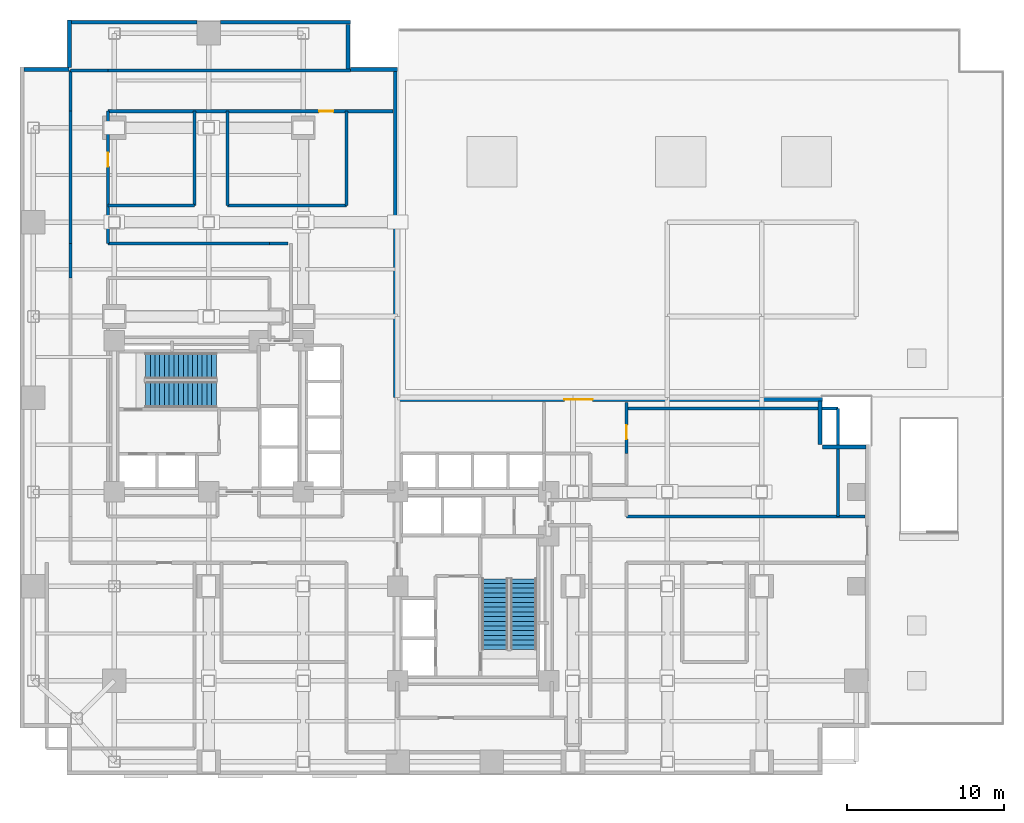
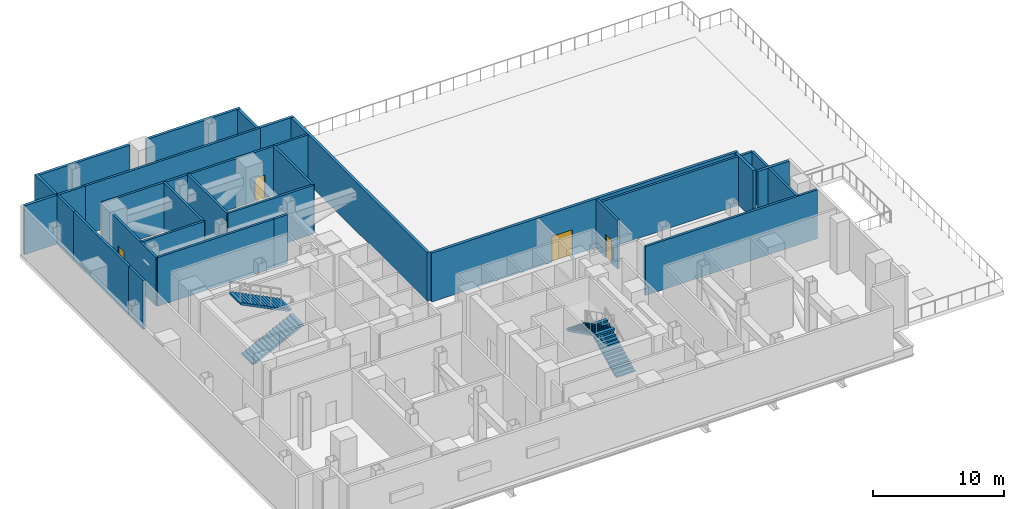
# One storey, part 6 of 8: 28 walls, 4 doors, 4 stair flights, 4 openings, 2 elements without a shape of their own.
"""IFC4 building model written with IfcOpenShell, lengths in metres."""

from ifc_helpers import new_model, si_unit, direction, frame, frame_2d, origin, place, context, subcontext, project, spatial, polyline, rectangle, outline, extrude, material, layer, layer_set, type_object, element, fill, aggregate, save


model = new_model("IFC4")

# Units and contexts
model_context = context("Model", 3, precision=1e-05, world=origin(), true_north=direction((0.0, 1.0)))
body_context = subcontext(model_context, "Body", "Model", "MODEL_VIEW")
ifc_project = project(units=[si_unit("LENGTHUNIT", "METRE"), si_unit("AREAUNIT", "SQUARE_METRE"), si_unit("VOLUMEUNIT", "CUBIC_METRE"), si_unit("PLANEANGLEUNIT", "RADIAN"), si_unit("MASSUNIT", "GRAM", prefix="KILO"), si_unit("THERMODYNAMICTEMPERATUREUNIT", "KELVIN"), si_unit("POWERUNIT", "WATT")], contexts=[model_context])

# Site, building, storey
site_placement = place(None, origin())
site = spatial("IfcSite", under=ifc_project, at=site_placement, CompositionType="ELEMENT")
building_placement = place(site_placement, origin())
building = spatial("IfcBuilding", under=site, at=building_placement, Name="Svarakhadi Broadcast Tower", CompositionType="ELEMENT")
storey_placement = place(building_placement, frame((0.0, 0.0, 27.60009765625)))
storey = spatial("IfcBuildingStorey", under=building, at=storey_placement, Name="L05", CompositionType="ELEMENT", Elevation=27.60009765625)

# Wall, opening, door
ifc_material_1 = material(Name="Concrete C40/50 (IS 456 M50)", Category="concrete")
ifc_layer_1 = layer(ifc_material_1, 0.239990234375)
ifc_layer_set_1 = layer_set([ifc_layer_1], Name="Concrete C40/50 (IS 456 M50)")
wall_type_1 = type_object("IfcWallType", Name="Wall_Ext_240", PredefinedType="SOLIDWALL", material=ifc_layer_set_1)
wall_1_placement = place(storey_placement, frame((24.0, 23.8798828125, 0.0), z_axis=(0.0, 0.0, 1.0), x_axis=(1.0, 0.0, 0.0)))
wall_1 = element("IfcWall", 1, at=wall_1_placement, inside=storey, type_object=wall_type_1, Name="L05 North Podium Terrace Access Wall", PredefinedType="SOLIDWALL", context=body_context, shape_type="SweptSolid", body=[
    extrude(rectangle(XDim=27.0, YDim=0.239990234375, at=frame_2d((13.5, 0.0))), origin(), (0.0, 0.0, 1.0), 4.5498046875),
])
opening_1_placement = place(wall_1_placement, frame((10.60009765625, 0.0, 0.0)))
opening_1 = element("IfcOpeningElement", 2, at=opening_1_placement, cuts=wall_1, Name="Opening ED-02", PredefinedType="OPENING", context=body_context, shape_type="SweptSolid", body=[
    extrude(rectangle(XDim=1.800048828125, YDim=2.39990234375, at=frame_2d((0.89990234375, 1.199951171875))), frame((0.0, 0.1298828125, 0.0), z_axis=(0.0, -1.0, 0.0), x_axis=(1.0, 0.0, 0.0)), (0.0, 0.0, 1.0), 0.260009765625),
])
ifc_material_2 = material(Name="Anodised Bronze Aluminium AA 6063-T6", Category="aluminium")
door_type_1 = type_object("IfcDoorType", Name="Door_Ext_ED02", OperationType="DOUBLE_DOOR_SINGLE_SWING", PredefinedType="DOOR", material=ifc_material_2)
door_1_placement = place(opening_1_placement, origin())
door_1 = element("IfcDoor", 3, at=door_1_placement, inside=storey, type_object=door_type_1, Name="L05 Podium NE Roof Terrace Access Door", OperationType="DOUBLE_DOOR_SINGLE_SWING", OverallHeight=2.39990234375, OverallWidth=1.800048828125, PredefinedType="DOOR", context=body_context, shape_type="SweptSolid", body=[
    extrude(rectangle(XDim=1.800048828125, YDim=2.39990234375, at=frame_2d((0.89990234375, 1.199951171875))), frame((0.0, 0.02490234375, 0.0), z_axis=(0.0, -1.0, 0.0), x_axis=(1.0, 0.0, 0.0)), (0.0, 0.0, 1.0), 0.050048828125),
])
fill(opening_1, door_1)

# Walls
wall_2_placement = place(storey_placement, frame((0.2548828125, 44.85009765625, 0.0), z_axis=(0.0, 0.0, 1.0), x_axis=(1.0, 0.0, 0.0)))
element("IfcWall", 4, at=wall_2_placement, inside=storey, type_object=wall_type_1, Name="L05 Perimeter Bronze Spandrel Closure Wall 02", PredefinedType="SOLIDWALL", context=body_context, shape_type="SweptSolid", body=[
    extrude(rectangle(XDim=2.84521484375, YDim=0.239990234375, at=frame_2d((1.422607421875, 0.0))), origin(), (0.0, 0.0, 1.0), 4.5498046875),
])
wall_3_placement = place(storey_placement, frame((3.14990234375, 44.969970703125, 0.0), z_axis=(0.0, 0.0, 1.0), x_axis=(0.0, 1.0, 0.0)))
element("IfcWall", 5, at=wall_3_placement, inside=storey, type_object=wall_type_1, Name="L05 Perimeter Bronze Spandrel Closure Wall 03", PredefinedType="SOLIDWALL", context=body_context, shape_type="SweptSolid", body=[
    extrude(rectangle(XDim=3.030029296875, YDim=0.239990234375, at=frame_2d((1.51513671875, 0.0))), origin(), (0.0, 0.0, 1.0), 4.5498046875),
])
wall_4_placement = place(storey_placement, frame((3.27490234375, 47.85009765625, 0.0), z_axis=(0.0, 0.0, 1.0), x_axis=(1.0, 0.0, 0.0)))
element("IfcWall", 6, at=wall_4_placement, inside=storey, type_object=wall_type_1, Name="L05 Perimeter Bronze Spandrel Closure Wall 04", PredefinedType="SOLIDWALL", context=body_context, shape_type="SweptSolid", body=[
    extrude(rectangle(XDim=7.989990234375, YDim=0.239990234375, at=frame_2d((3.9951171875, 0.0))), origin(), (0.0, 0.0, 1.0), 4.5498046875),
])
wall_5_placement = place(storey_placement, frame((12.735107421875, 47.85009765625, 0.0), z_axis=(0.0, 0.0, 1.0), x_axis=(1.0, 0.0, 0.0)))
element("IfcWall", 7, at=wall_5_placement, inside=storey, type_object=wall_type_1, Name="L05 Perimeter Bronze Spandrel Closure Wall 05", PredefinedType="SOLIDWALL", context=body_context, shape_type="SweptSolid", body=[
    extrude(rectangle(XDim=8.264892578125, YDim=0.239990234375, at=frame_2d((4.13232421875, 0.0))), origin(), (0.0, 0.0, 1.0), 4.5498046875),
])
wall_6_placement = place(storey_placement, frame((20.85009765625, 47.72509765625, 0.0), z_axis=(0.0, 0.0, 1.0), x_axis=(0.0, -1.0, 0.0)))
element("IfcWall", 8, at=wall_6_placement, inside=storey, type_object=wall_type_1, Name="L05 Perimeter Bronze Spandrel Closure Wall 06", PredefinedType="SOLIDWALL", context=body_context, shape_type="SweptSolid", body=[
    extrude(rectangle(XDim=2.8251953125, YDim=0.239990234375, at=frame_2d((1.41259765625, 0.0))), origin(), (0.0, 0.0, 1.0), 4.5498046875),
])
wall_7_placement = place(storey_placement, frame((21.0, 44.85009765625, 0.0), z_axis=(0.0, 0.0, 1.0), x_axis=(1.0, 0.0, 0.0)))
element("IfcWall", 9, at=wall_7_placement, inside=storey, type_object=wall_type_1, Name="L05 Perimeter Bronze Spandrel Closure Wall 07", PredefinedType="SOLIDWALL", context=body_context, shape_type="SweptSolid", body=[
    extrude(rectangle(XDim=3.0, YDim=0.239990234375, at=frame_2d((1.5, 0.0))), origin(), (0.0, 0.0, 1.0), 4.5498046875),
])
wall_8_placement = place(storey_placement, frame((23.85009765625, 44.72509765625, 0.0), z_axis=(0.0, 0.0, 1.0), x_axis=(0.0, -1.0, 0.0)))
element("IfcWall", 10, at=wall_8_placement, inside=storey, type_object=wall_type_1, Name="L05 Perimeter Bronze Spandrel Closure Wall 08", PredefinedType="SOLIDWALL", context=body_context, shape_type="SweptSolid", body=[
    extrude(rectangle(XDim=20.72509765625, YDim=0.239990234375, at=frame_2d((10.362548828125, 0.0))), origin(), (0.0, 0.0, 1.0), 4.5498046875),
])
for number, where, z_axis, x_axis, name in (
    (11, (50.85009765625, 23.77490234375, 0.0), (0.0, 0.0, 1.0), (0.0, -1.0, 0.0), "L05 Perimeter Bronze Spandrel Closure Wall 09"),
    (12, (51.0, 20.85009765625, 0.0), (0.0, 0.0, 1.0), (1.0, 0.0, 0.0), "L05 Perimeter Bronze Spandrel Closure Wall 10"),
):
    element("IfcWall", number, at=place(storey_placement, frame(where, z_axis=z_axis, x_axis=x_axis)), inside=storey, type_object=wall_type_1, Name=name, PredefinedType="SOLIDWALL", context=body_context, shape_type="SweptSolid", body=[
        extrude(rectangle(XDim=2.77490234375, YDim=0.239990234375, at=frame_2d((1.387451171875, 0.0))), origin(), (0.0, 0.0, 1.0), 4.5498046875),
    ])
ifc_layer_2 = layer(ifc_material_1, 0.199951171875)
ifc_layer_set_2 = layer_set([ifc_layer_2], Name="Concrete C40/50 (IS 456 M50)")
wall_type_2 = type_object("IfcWallType", Name="Wall_Fire_200", PredefinedType="SOLIDWALL", material=ifc_layer_set_2)
wall_9_placement = place(storey_placement, frame((3.199951171875, 31.60009765625, 0.0), z_axis=(0.0, 0.0, 1.0), x_axis=(0.0, 1.0, 0.0)))
element("IfcWall", 13, at=wall_9_placement, inside=storey, type_object=wall_type_2, Name="L05 Plant Service Corridor Wall", PredefinedType="SOLIDWALL", context=body_context, shape_type="SweptSolid", body=[
    extrude(rectangle(XDim=2.199951171875, YDim=0.199951171875, at=frame_2d((1.10009765625, 0.0))), origin(), (0.0, 0.0, 1.0), 4.5498046875),
])
wall_10_placement = place(storey_placement, frame((3.199951171875, 33.800048828125, 0.0), z_axis=(0.0, 0.0, 1.0), x_axis=(0.0, 1.0, 0.0)))
element("IfcWall", 14, at=wall_10_placement, inside=storey, type_object=wall_type_2, Name="L05 Plant Service Corridor Wall", PredefinedType="SOLIDWALL", context=body_context, shape_type="SweptSolid", body=[
    extrude(rectangle(XDim=8.39990234375, YDim=0.199951171875, at=frame_2d((4.199951171875, 0.0))), origin(), (0.0, 0.0, 1.0), 4.5498046875),
])
wall_11_placement = place(storey_placement, frame((3.199951171875, 42.199951171875, 0.0), z_axis=(0.0, 0.0, 1.0), x_axis=(0.0, 1.0, 0.0)))
element("IfcWall", 15, at=wall_11_placement, inside=storey, type_object=wall_type_2, Name="L05 Plant Service Corridor Wall", PredefinedType="SOLIDWALL", context=body_context, shape_type="SweptSolid", body=[
    extrude(rectangle(XDim=2.60009765625, YDim=0.199951171875, at=frame_2d((1.300048828125, 0.0))), origin(), (0.0, 0.0, 1.0), 4.5498046875),
])
wall_12_placement = place(storey_placement, frame((3.199951171875, 44.800048828125, 0.0), z_axis=(0.0, 0.0, 1.0), x_axis=(1.0, 0.0, 0.0)))
element("IfcWall", 16, at=wall_12_placement, inside=storey, type_object=wall_type_2, Name="L05 Plant Service Corridor Wall", PredefinedType="SOLIDWALL", context=body_context, shape_type="SweptSolid", body=[
    extrude(rectangle(XDim=2.400146484375, YDim=0.199951171875, at=frame_2d((1.2001953125, 0.0))), origin(), (0.0, 0.0, 1.0), 4.5498046875),
])
wall_13_placement = place(storey_placement, frame((5.60009765625, 44.800048828125, 0.0), z_axis=(0.0, 0.0, 1.0), x_axis=(1.0, 0.0, 0.0)))
element("IfcWall", 17, at=wall_13_placement, inside=storey, type_object=wall_type_2, Name="L05 Plant Service Corridor Wall", PredefinedType="SOLIDWALL", context=body_context, shape_type="SweptSolid", body=[
    extrude(rectangle(XDim=15.39990234375, YDim=0.199951171875, at=frame_2d((7.699951171875, 0.0))), origin(), (0.0, 0.0, 1.0), 4.5498046875),
])

# Wall, opening, door
wall_14_placement = place(storey_placement, frame((23.699951171875, 42.199951171875, 0.0), z_axis=(0.0, 0.0, 1.0), x_axis=(-1.0, 0.0, 0.0)))
wall_14 = element("IfcWall", 18, at=wall_14_placement, inside=storey, type_object=wall_type_2, Name="L05 Plant Service Corridor Wall", PredefinedType="SOLIDWALL", context=body_context, shape_type="SweptSolid", body=[
    extrude(rectangle(XDim=18.099853515625, YDim=0.199951171875, at=frame_2d((9.0498046875, 0.0))), origin(), (0.0, 0.0, 1.0), 4.5498046875),
])
opening_2_placement = place(wall_14_placement, frame((3.780029296875, 0.0, 0.0)))
opening_2 = element("IfcOpeningElement", 19, at=opening_2_placement, cuts=wall_14, Name="Opening D-03", PredefinedType="OPENING", context=body_context, shape_type="SweptSolid", body=[
    extrude(rectangle(XDim=0.89990234375, YDim=2.14990234375, at=frame_2d((0.449951171875, 1.074951171875))), frame((0.0, 0.10986328125, 0.0), z_axis=(0.0, -1.0, 0.0), x_axis=(1.0, 0.0, 0.0)), (0.0, 0.0, 1.0), 0.219970703125),
])
ifc_material_3 = material(Name="Galvanised Powder-Coated Fire-Rated Steel Leaf", Category="steel")
door_type_2 = type_object("IfcDoorType", Name="Door_Fire_D03", OperationType="SINGLE_SWING_LEFT", PredefinedType="DOOR", material=ifc_material_3)
door_2_placement = place(opening_2_placement, origin())
door_2 = element("IfcDoor", 20, at=door_2_placement, inside=storey, type_object=door_type_2, Name="L05 Chilled Water Plate Heat Exchanger Plant Room Door", OperationType="SINGLE_SWING_LEFT", OverallHeight=2.14990234375, OverallWidth=0.89990234375, PredefinedType="DOOR", context=body_context, shape_type="SweptSolid", body=[
    extrude(rectangle(XDim=0.89990234375, YDim=2.14990234375, at=frame_2d((0.449951171875, 1.074951171875))), frame((0.0, 0.02490234375, 0.0), z_axis=(0.0, -1.0, 0.0), x_axis=(1.0, 0.0, 0.0)), (0.0, 0.0, 1.0), 0.050048828125),
])
fill(opening_2, door_2)

wall_15_placement = place(storey_placement, frame((5.60009765625, 42.199951171875, 0.0), z_axis=(0.0, 0.0, 1.0), x_axis=(0.0, -1.0, 0.0)))
wall_15 = element("IfcWall", 21, at=wall_15_placement, inside=storey, type_object=wall_type_2, Name="L05 Plant Service Corridor Wall", PredefinedType="SOLIDWALL", context=body_context, shape_type="SweptSolid", body=[
    extrude(rectangle(XDim=8.39990234375, YDim=0.199951171875, at=frame_2d((4.199951171875, 0.0))), origin(), (0.0, 0.0, 1.0), 4.5498046875),
])
opening_3_placement = place(wall_15_placement, frame((2.625, 0.0, 0.0)))
opening_3 = element("IfcOpeningElement", 22, at=opening_3_placement, cuts=wall_15, Name="Opening D-04", PredefinedType="OPENING", context=body_context, shape_type="SweptSolid", body=[
    extrude(rectangle(XDim=0.89990234375, YDim=2.14990234375, at=frame_2d((0.449951171875, 1.074951171875))), frame((0.0, 0.10986328125, 0.0), z_axis=(0.0, -1.0, 0.0), x_axis=(1.0, 0.0, 0.0)), (0.0, 0.0, 1.0), 0.219970703125),
])
door_type_3 = type_object("IfcDoorType", Name="Door_Fire_D04", OperationType="SINGLE_SWING_RIGHT", PredefinedType="DOOR", material=ifc_material_3)
door_3_placement = place(opening_3_placement, origin())
door_3 = element("IfcDoor", 23, at=door_3_placement, inside=storey, type_object=door_type_3, Name="L05 Primary Supply Air Handling Plant Room Door", OperationType="SINGLE_SWING_RIGHT", OverallHeight=2.14990234375, OverallWidth=0.89990234375, PredefinedType="DOOR", context=body_context, shape_type="SweptSolid", body=[
    extrude(rectangle(XDim=0.89990234375, YDim=2.14990234375, at=frame_2d((0.449951171875, 1.074951171875))), frame((0.0, 0.02490234375, 0.0), z_axis=(0.0, -1.0, 0.0), x_axis=(1.0, 0.0, 0.0)), (0.0, 0.0, 1.0), 0.050048828125),
])
fill(opening_3, door_3)

# Walls
wall_16_placement = place(storey_placement, frame((5.60009765625, 33.800048828125, 0.0), z_axis=(0.0, 0.0, 1.0), x_axis=(1.0, 0.0, 0.0)))
element("IfcWall", 24, at=wall_16_placement, inside=storey, type_object=wall_type_2, Name="L05 Plant Service Corridor Wall", PredefinedType="SOLIDWALL", context=body_context, shape_type="SweptSolid", body=[
    extrude(rectangle(XDim=10.25, YDim=0.199951171875, at=frame_2d((5.125, 0.0))), origin(), (0.0, 0.0, 1.0), 4.5498046875),
])
wall_17_placement = place(storey_placement, frame((15.85009765625, 33.800048828125, 0.0), z_axis=(0.0, 0.0, 1.0), x_axis=(1.0, 0.0, 0.0)))
element("IfcWall", 25, at=wall_17_placement, inside=storey, type_object=wall_type_2, Name="L05 Plant Service Corridor Wall", PredefinedType="SOLIDWALL", context=body_context, shape_type="SweptSolid", body=[
    extrude(rectangle(XDim=1.199951171875, YDim=0.199951171875, at=frame_2d((0.60009765625, 0.0))), origin(), (0.0, 0.0, 1.0), 4.5498046875),
])

# Wall, opening, door
wall_18_placement = place(storey_placement, frame((38.550048828125, 23.699951171875, 0.0), z_axis=(0.0, 0.0, 1.0), x_axis=(0.0, -1.0, 0.0)))
wall_18 = element("IfcWall", 26, at=wall_18_placement, inside=storey, type_object=wall_type_2, Name="L05 Plant Service Corridor Wall", PredefinedType="SOLIDWALL", context=body_context, shape_type="SweptSolid", body=[
    extrude(rectangle(XDim=3.25, YDim=0.199951171875, at=frame_2d((1.625, 0.0))), origin(), (0.0, 0.0, 1.0), 4.5498046875),
])
opening_4_placement = place(wall_18_placement, frame((1.449951171875, 0.0, 0.0)))
opening_4 = element("IfcOpeningElement", 27, at=opening_4_placement, cuts=wall_18, Name="Opening D-04", PredefinedType="OPENING", context=body_context, shape_type="SweptSolid", body=[
    extrude(rectangle(XDim=0.89990234375, YDim=2.14990234375, at=frame_2d((0.449951171875, 1.074951171875))), frame((0.0, 0.10986328125, 0.0), z_axis=(0.0, -1.0, 0.0), x_axis=(1.0, 0.0, 0.0)), (0.0, 0.0, 1.0), 0.219970703125),
])
door_4_placement = place(opening_4_placement, origin())
door_4 = element("IfcDoor", 28, at=door_4_placement, inside=storey, type_object=door_type_3, Name="L05 Pressurised Fire Refuge Area East Door", OperationType="SINGLE_SWING_RIGHT", OverallHeight=2.14990234375, OverallWidth=0.89990234375, PredefinedType="DOOR", context=body_context, shape_type="SweptSolid", body=[
    extrude(rectangle(XDim=0.89990234375, YDim=2.14990234375, at=frame_2d((0.449951171875, 1.074951171875))), frame((0.0, 0.02490234375, 0.0), z_axis=(0.0, -1.0, 0.0), x_axis=(1.0, 0.0, 0.0)), (0.0, 0.0, 1.0), 0.050048828125),
])
fill(opening_4, door_4)

# Walls
wall_19_placement = place(storey_placement, frame((38.550048828125, 16.449951171875, 0.0), z_axis=(0.0, 0.0, 1.0), x_axis=(1.0, 0.0, 0.0)))
element("IfcWall", 29, at=wall_19_placement, inside=storey, type_object=wall_type_2, Name="L05 Plant Service Corridor Wall", PredefinedType="SOLIDWALL", context=body_context, shape_type="SweptSolid", body=[
    extrude(rectangle(XDim=15.14990234375, YDim=0.199951171875, at=frame_2d((7.574951171875, 0.0))), origin(), (0.0, 0.0, 1.0), 4.5498046875),
])
wall_20_placement = place(storey_placement, frame((38.550048828125, 23.300048828125, 0.0), z_axis=(0.0, 0.0, 1.0), x_axis=(1.0, 0.0, 0.0)))
element("IfcWall", 30, at=wall_20_placement, inside=storey, type_object=wall_type_2, Name="L05 Pressurised Fire Refuge Area East Wall", PredefinedType="SOLIDWALL", context=body_context, shape_type="SweptSolid", body=[
    extrude(rectangle(XDim=13.449951171875, YDim=0.199951171875, at=frame_2d((6.72509765625, 0.0))), origin(), (0.0, 0.0, 1.0), 4.5498046875),
])
wall_21_placement = place(storey_placement, frame((52.0, 16.449951171875, 0.0), z_axis=(0.0, 0.0, 1.0), x_axis=(0.0, 1.0, 0.0)))
element("IfcWall", 31, at=wall_21_placement, inside=storey, type_object=wall_type_2, Name="L05 Pressurised Fire Refuge Area East Wall", PredefinedType="SOLIDWALL", context=body_context, shape_type="SweptSolid", body=[
    extrude(rectangle(XDim=6.85009765625, YDim=0.199951171875, at=frame_2d((3.425048828125, 0.0))), origin(), (0.0, 0.0, 1.0), 4.5498046875),
])
wall_22_placement = place(storey_placement, frame((5.60009765625, 36.199951171875, 0.0), z_axis=(0.0, 0.0, 1.0), x_axis=(1.0, 0.0, 0.0)))
element("IfcWall", 32, at=wall_22_placement, inside=storey, type_object=wall_type_2, Name="L05 Primary Supply Air Handling Plant Room Wall", PredefinedType="SOLIDWALL", context=body_context, shape_type="SweptSolid", body=[
    extrude(rectangle(XDim=5.5, YDim=0.199951171875, at=frame_2d((2.75, 0.0))), origin(), (0.0, 0.0, 1.0), 4.5498046875),
])
wall_23_placement = place(storey_placement, frame((11.10009765625, 36.199951171875, 0.0), z_axis=(0.0, 0.0, 1.0), x_axis=(0.0, 1.0, 0.0)))
element("IfcWall", 33, at=wall_23_placement, inside=storey, type_object=wall_type_2, Name="L05 Primary Supply Air Handling Plant Room Wall", PredefinedType="SOLIDWALL", context=body_context, shape_type="SweptSolid", body=[
    extrude(rectangle(XDim=6.0, YDim=0.199951171875, at=frame_2d((3.0, 0.0))), origin(), (0.0, 0.0, 1.0), 4.5498046875),
])
wall_24_placement = place(storey_placement, frame((13.199951171875, 36.199951171875, 0.0), z_axis=(0.0, 0.0, 1.0), x_axis=(1.0, 0.0, 0.0)))
element("IfcWall", 34, at=wall_24_placement, inside=storey, type_object=wall_type_2, Name="L05 Chilled Water Plate Heat Exchanger Plant Room Wall", PredefinedType="SOLIDWALL", context=body_context, shape_type="SweptSolid", body=[
    extrude(rectangle(XDim=7.550048828125, YDim=0.199951171875, at=frame_2d((3.77490234375, 0.0))), origin(), (0.0, 0.0, 1.0), 4.5498046875),
])
for number, where, z_axis, x_axis, name in (
    (35, (13.199951171875, 36.199951171875, 0.0), (0.0, 0.0, 1.0), (0.0, 1.0, 0.0), "L05 Chilled Water Plate Heat Exchanger Plant Room Wall"),
    (36, (20.75, 36.199951171875, 0.0), (0.0, 0.0, 1.0), (0.0, 1.0, 0.0), "L05 Chilled Water Plate Heat Exchanger Plant Room Wall"),
):
    element("IfcWall", number, at=place(storey_placement, frame(where, z_axis=z_axis, x_axis=x_axis)), inside=storey, type_object=wall_type_2, Name=name, PredefinedType="SOLIDWALL", context=body_context, shape_type="SweptSolid", body=[
        extrude(rectangle(XDim=6.0, YDim=0.199951171875, at=frame_2d((3.0, 0.0))), origin(), (0.0, 0.0, 1.0), 4.5498046875),
    ])

# Stair, stair flights
stair_type = type_object("IfcStairType", Name="Stair_Exit_Core", PredefinedType="HALF_TURN_STAIR", material=ifc_material_1)
stair_1_placement = place(storey_placement, origin())
stair_1 = element("IfcStair", 37, at=stair_1_placement, inside=storey, type_object=stair_type, Name="L05 West Core Protected Exit Stair ST-01", PredefinedType="HALF_TURN_STAIR")
stair_flight_type = type_object("IfcStairFlightType", Name="Flight_RC_1680", PredefinedType="STRAIGHT", material=ifc_material_1)
stair_flight_1_placement = place(storey_placement, frame((7.97998046875, 24.18994140625, 0.0), z_axis=(0.0, 0.0, 1.0), x_axis=(1.0, 0.0, 0.0)))
stair_flight_1 = element("IfcStairFlight", 38, at=stair_flight_1_placement, type_object=stair_flight_type, Name="ST-01 flight 1", NumberOfRisers=16, NumberOfTreads=15, PredefinedType="STRAIGHT", RiserHeight=0.15, TreadLength=0.3, context=body_context, shape_type="SweptSolid", body=[
    extrude(outline(polyline([(0.0, 0.0), (0.0, 0.14990234375), (0.300048828125, 0.14990234375), (0.300048828125, 0.300048828125), (0.60009765625, 0.300048828125), (0.60009765625, 0.449951171875), (0.89990234375, 0.449951171875), (0.89990234375, 0.60009765625), (1.199951171875, 0.60009765625), (1.199951171875, 0.75), (1.5, 0.75), (1.5, 0.89990234375), (1.800048828125, 0.89990234375), (1.800048828125, 1.050048828125), (2.10009765625, 1.050048828125), (2.10009765625, 1.199951171875), (2.39990234375, 1.199951171875), (2.39990234375, 1.35009765625), (2.699951171875, 1.35009765625), (2.699951171875, 1.5), (3.0, 1.5), (3.0, 1.64990234375), (3.300048828125, 1.64990234375), (3.300048828125, 1.800048828125), (3.60009765625, 1.800048828125), (3.60009765625, 1.949951171875), (3.89990234375, 1.949951171875), (3.89990234375, 2.10009765625), (4.199951171875, 2.10009765625), (4.199951171875, 2.25), (4.5, 2.25), (4.5, 2.39990234375), (4.5, 2.08251953125), (0.335205078125, 0.0), (0.0, 0.0)])), frame((0.0, 0.830078125, 0.0), z_axis=(0.0, -1.0, 0.0), x_axis=(1.0, 0.0, 0.0)), (0.0, 0.0, 1.0), 1.659912109375),
])
stair_flight_2_placement = place(storey_placement, frame((12.47998046875, 26.010009765625, 2.39990234375), z_axis=(0.0, 0.0, 1.0), x_axis=(-1.0, 0.0, 0.0)))
stair_flight_2 = element("IfcStairFlight", 39, at=stair_flight_2_placement, type_object=stair_flight_type, Name="ST-01 flight 2", NumberOfRisers=16, NumberOfTreads=15, PredefinedType="STRAIGHT", RiserHeight=0.15, TreadLength=0.3, context=body_context, shape_type="SweptSolid", body=[
    extrude(outline(polyline([(0.0, 0.0), (0.0, 0.14990234375), (0.300048828125, 0.14990234375), (0.300048828125, 0.300048828125), (0.60009765625, 0.300048828125), (0.60009765625, 0.449951171875), (0.89990234375, 0.449951171875), (0.89990234375, 0.60009765625), (1.199951171875, 0.60009765625), (1.199951171875, 0.75), (1.5, 0.75), (1.5, 0.89990234375), (1.800048828125, 0.89990234375), (1.800048828125, 1.050048828125), (2.10009765625, 1.050048828125), (2.10009765625, 1.199951171875), (2.39990234375, 1.199951171875), (2.39990234375, 1.35009765625), (2.699951171875, 1.35009765625), (2.699951171875, 1.5), (3.0, 1.5), (3.0, 1.64990234375), (3.300048828125, 1.64990234375), (3.300048828125, 1.800048828125), (3.60009765625, 1.800048828125), (3.60009765625, 1.949951171875), (3.89990234375, 1.949951171875), (3.89990234375, 2.10009765625), (4.199951171875, 2.10009765625), (4.199951171875, 2.25), (4.5, 2.25), (4.5, 2.39990234375), (4.5, 2.08251953125), (0.335205078125, 0.0), (0.0, 0.0)])), frame((0.0, 0.830078125, 0.0), z_axis=(0.0, -1.0, 0.0), x_axis=(1.0, 0.0, 0.0)), (0.0, 0.0, 1.0), 1.659912109375),
])
aggregate(stair_1, [stair_flight_1, stair_flight_2])

stair_2_placement = place(storey_placement, origin())
stair_2 = element("IfcStair", 40, at=stair_2_placement, inside=storey, type_object=stair_type, Name="L05 East Core Protected Exit Stair ST-02", PredefinedType="HALF_TURN_STAIR")
stair_flight_3_placement = place(storey_placement, frame((32.010009765625, 7.97998046875, 0.0), z_axis=(0.0, 0.0, 1.0), x_axis=(0.0, 1.0, 0.0)))
stair_flight_3 = element("IfcStairFlight", 41, at=stair_flight_3_placement, type_object=stair_flight_type, Name="ST-02 flight 1", NumberOfRisers=16, NumberOfTreads=15, PredefinedType="STRAIGHT", RiserHeight=0.15, TreadLength=0.3, context=body_context, shape_type="SweptSolid", body=[
    extrude(outline(polyline([(0.0, 0.0), (0.0, 0.14990234375), (0.300048828125, 0.14990234375), (0.300048828125, 0.300048828125), (0.60009765625, 0.300048828125), (0.60009765625, 0.449951171875), (0.89990234375, 0.449951171875), (0.89990234375, 0.60009765625), (1.199951171875, 0.60009765625), (1.199951171875, 0.75), (1.5, 0.75), (1.5, 0.89990234375), (1.800048828125, 0.89990234375), (1.800048828125, 1.050048828125), (2.10009765625, 1.050048828125), (2.10009765625, 1.199951171875), (2.39990234375, 1.199951171875), (2.39990234375, 1.35009765625), (2.699951171875, 1.35009765625), (2.699951171875, 1.5), (3.0, 1.5), (3.0, 1.64990234375), (3.300048828125, 1.64990234375), (3.300048828125, 1.800048828125), (3.60009765625, 1.800048828125), (3.60009765625, 1.949951171875), (3.89990234375, 1.949951171875), (3.89990234375, 2.10009765625), (4.199951171875, 2.10009765625), (4.199951171875, 2.25), (4.5, 2.25), (4.5, 2.39990234375), (4.5, 2.08251953125), (0.335205078125, 0.0), (0.0, 0.0)])), frame((0.0, 0.830078125, 0.0), z_axis=(0.0, -1.0, 0.0), x_axis=(1.0, 0.0, 0.0)), (0.0, 0.0, 1.0), 1.659912109375),
])
stair_flight_4_placement = place(storey_placement, frame((30.18994140625, 12.47998046875, 2.39990234375), z_axis=(0.0, 0.0, 1.0), x_axis=(0.0, -1.0, 0.0)))
stair_flight_4 = element("IfcStairFlight", 42, at=stair_flight_4_placement, type_object=stair_flight_type, Name="ST-02 flight 2", NumberOfRisers=16, NumberOfTreads=15, PredefinedType="STRAIGHT", RiserHeight=0.15, TreadLength=0.3, context=body_context, shape_type="SweptSolid", body=[
    extrude(outline(polyline([(0.0, 0.0), (0.0, 0.14990234375), (0.300048828125, 0.14990234375), (0.300048828125, 0.300048828125), (0.60009765625, 0.300048828125), (0.60009765625, 0.449951171875), (0.89990234375, 0.449951171875), (0.89990234375, 0.60009765625), (1.199951171875, 0.60009765625), (1.199951171875, 0.75), (1.5, 0.75), (1.5, 0.89990234375), (1.800048828125, 0.89990234375), (1.800048828125, 1.050048828125), (2.10009765625, 1.050048828125), (2.10009765625, 1.199951171875), (2.39990234375, 1.199951171875), (2.39990234375, 1.35009765625), (2.699951171875, 1.35009765625), (2.699951171875, 1.5), (3.0, 1.5), (3.0, 1.64990234375), (3.300048828125, 1.64990234375), (3.300048828125, 1.800048828125), (3.60009765625, 1.800048828125), (3.60009765625, 1.949951171875), (3.89990234375, 1.949951171875), (3.89990234375, 2.10009765625), (4.199951171875, 2.10009765625), (4.199951171875, 2.25), (4.5, 2.25), (4.5, 2.39990234375), (4.5, 2.08251953125), (0.335205078125, 0.0), (0.0, 0.0)])), frame((0.0, 0.830078125, 0.0), z_axis=(0.0, -1.0, 0.0), x_axis=(1.0, 0.0, 0.0)), (0.0, 0.0, 1.0), 1.659912109375),
])
aggregate(stair_2, [stair_flight_3, stair_flight_4])

save(model, "model.ifc")
